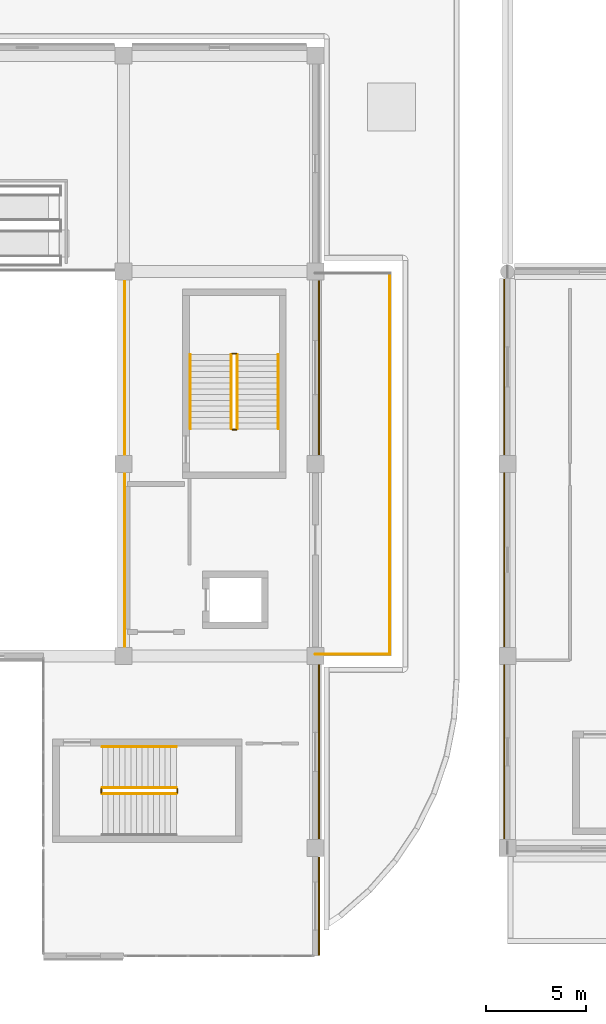
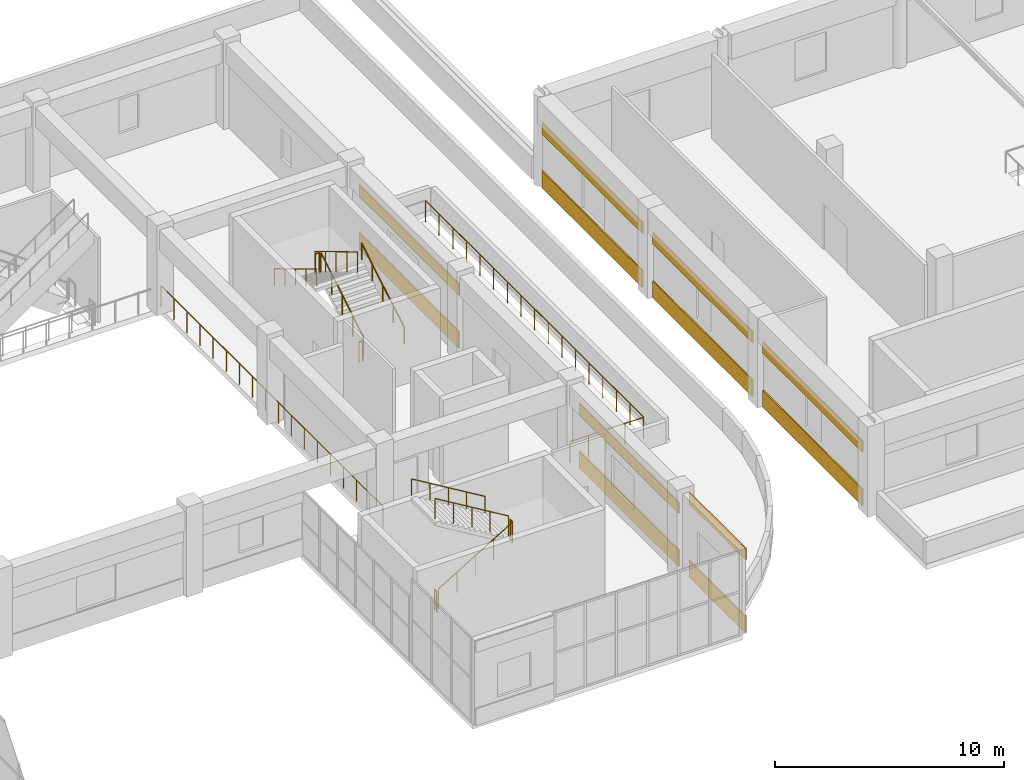
# One storey, part 57 of 67: 14 railings, 12 coverings.
"""IFC4 building model written with IfcOpenShell, lengths in metres."""

from ifc_helpers import new_model, si_unit, direction, frame, origin, origin_2d, place, context, subcontext, project, spatial, rectangle, circle, extrude, material, layer, layer_set, type_object, element, save


model = new_model("IFC4")

# Units and contexts
model_context = context("Model", 3, precision=1e-05, world=origin(), true_north=direction((0.0, 1.0)))
body_context = subcontext(model_context, "Body", "Model", "MODEL_VIEW")
ifc_project = project(units=[si_unit("LENGTHUNIT", "METRE"), si_unit("AREAUNIT", "SQUARE_METRE"), si_unit("VOLUMEUNIT", "CUBIC_METRE"), si_unit("PLANEANGLEUNIT", "RADIAN"), si_unit("MASSUNIT", "GRAM", prefix="KILO")], contexts=[model_context])

# Site, building, storey
site_placement = place(None, origin())
site = spatial("IfcSite", under=ifc_project, at=site_placement, CompositionType="ELEMENT")
building_placement = place(site_placement, origin())
building = spatial("IfcBuilding", under=site, at=building_placement, Name="Cendralis Terraced Arcade", CompositionType="ELEMENT")
storey_placement = place(building_placement, frame((0.0, 0.0, 15.0)))
storey = spatial("IfcBuildingStorey", under=building, at=storey_placement, Name="L03", CompositionType="ELEMENT", Elevation=15.0)

# Coverings
ifc_material_1 = material(Name="Precast concrete f'c 40 MPa", Category="concrete")
ifc_layer = layer(ifc_material_1, 0.06494140625, Name="COV-CLAD-GRC-65")
ifc_layer_set = layer_set([ifc_layer], Name="Precast concrete f'c 40 MPa")
covering_type = type_object("IfcCoveringType", Name="COV-CLAD-GRC-65", PredefinedType="CLADDING", material=ifc_layer_set)
covering_1_placement = place(storey_placement, frame((67.03759765625, 14.39990234375, 0.0), z_axis=(0.0, 0.0, 1.0), x_axis=(0.0, 1.0, 0.0)))
element("IfcCovering", 1, at=covering_1_placement, inside=storey, type_object=covering_type, Name="Banded Precast Stone Spandrel Cladding L03-361", PredefinedType="CLADDING", context=body_context, shape_type="SweptSolid", body=[
    extrude(rectangle(XDim=8.694091796875, YDim=0.06494140625, at=origin_2d()), origin(), (0.0, 0.0, 1.0), 0.89990234375),
])
covering_2_placement = place(storey_placement, frame((67.03759765625, 14.39990234375, 2.869873046875), z_axis=(0.0, 0.0, 1.0), x_axis=(0.0, 1.0, 0.0)))
element("IfcCovering", 2, at=covering_2_placement, inside=storey, type_object=covering_type, Name="Banded Precast Stone Lintel Cladding L03-362", PredefinedType="CLADDING", context=body_context, shape_type="SweptSolid", body=[
    extrude(rectangle(XDim=8.694091796875, YDim=0.06494140625, at=origin_2d()), origin(), (0.0, 0.0, 1.0), 0.60009765625),
])
covering_3_placement = place(storey_placement, frame((67.03759765625, 24.0, 0.0), z_axis=(0.0, 0.0, 1.0), x_axis=(0.0, 1.0, 0.0)))
element("IfcCovering", 3, at=covering_3_placement, inside=storey, type_object=covering_type, Name="Banded Precast Stone Spandrel Cladding L03-363", PredefinedType="CLADDING", context=body_context, shape_type="SweptSolid", body=[
    extrude(rectangle(XDim=8.694091796875, YDim=0.06494140625, at=origin_2d()), origin(), (0.0, 0.0, 1.0), 0.89990234375),
])
covering_4_placement = place(storey_placement, frame((67.03759765625, 24.0, 2.869873046875), z_axis=(0.0, 0.0, 1.0), x_axis=(0.0, 1.0, 0.0)))
element("IfcCovering", 4, at=covering_4_placement, inside=storey, type_object=covering_type, Name="Banded Precast Stone Lintel Cladding L03-364", PredefinedType="CLADDING", context=body_context, shape_type="SweptSolid", body=[
    extrude(rectangle(XDim=8.694091796875, YDim=0.06494140625, at=origin_2d()), origin(), (0.0, 0.0, 1.0), 0.60009765625),
])
covering_5_placement = place(storey_placement, frame((67.03759765625, 33.637451171875, 0.0), z_axis=(0.0, 0.0, 1.0), x_axis=(0.0, 1.0, 0.0)))
element("IfcCovering", 5, at=covering_5_placement, inside=storey, type_object=covering_type, Name="Banded Precast Stone Spandrel Cladding L03-365", PredefinedType="CLADDING", context=body_context, shape_type="SweptSolid", body=[
    extrude(rectangle(XDim=8.76904296875, YDim=0.06494140625, at=origin_2d()), origin(), (0.0, 0.0, 1.0), 0.89990234375),
])
covering_6_placement = place(storey_placement, frame((67.03759765625, 33.637451171875, 2.869873046875), z_axis=(0.0, 0.0, 1.0), x_axis=(0.0, 1.0, 0.0)))
element("IfcCovering", 6, at=covering_6_placement, inside=storey, type_object=covering_type, Name="Banded Precast Stone Lintel Cladding L03-366", PredefinedType="CLADDING", context=body_context, shape_type="SweptSolid", body=[
    extrude(rectangle(XDim=8.76904296875, YDim=0.06494140625, at=origin_2d()), origin(), (0.0, 0.0, 1.0), 0.60009765625),
])
covering_7_placement = place(storey_placement, frame((57.780029296875, 33.60009765625, 0.0), z_axis=(0.0, 0.0, 1.0), x_axis=(0.0, -1.0, 0.0)))
element("IfcCovering", 7, at=covering_7_placement, inside=storey, type_object=covering_type, Name="Banded Precast Stone Spandrel Cladding L03-393", PredefinedType="CLADDING", context=body_context, shape_type="SweptSolid", body=[
    extrude(rectangle(XDim=8.694091796875, YDim=0.06494140625, at=origin_2d()), origin(), (0.0, 0.0, 1.0), 0.89990234375),
])
covering_8_placement = place(storey_placement, frame((57.780029296875, 33.60009765625, 2.83984375), z_axis=(0.0, 0.0, 1.0), x_axis=(0.0, -1.0, 0.0)))
element("IfcCovering", 8, at=covering_8_placement, inside=storey, type_object=covering_type, Name="Banded Precast Stone Lintel Cladding L03-394", PredefinedType="CLADDING", context=body_context, shape_type="SweptSolid", body=[
    extrude(rectangle(XDim=8.694091796875, YDim=0.06494140625, at=origin_2d()), origin(), (0.0, 0.0, 1.0), 0.60009765625),
])
covering_9_placement = place(storey_placement, frame((57.780029296875, 14.39990234375, 0.0), z_axis=(0.0, 0.0, 1.0), x_axis=(0.0, -1.0, 0.0)))
element("IfcCovering", 9, at=covering_9_placement, inside=storey, type_object=covering_type, Name="Banded Precast Stone Spandrel Cladding L03-395", PredefinedType="CLADDING", context=body_context, shape_type="SweptSolid", body=[
    extrude(rectangle(XDim=8.694091796875, YDim=0.06494140625, at=origin_2d()), origin(), (0.0, 0.0, 1.0), 0.89990234375),
])
covering_10_placement = place(storey_placement, frame((57.780029296875, 14.39990234375, 2.83984375), z_axis=(0.0, 0.0, 1.0), x_axis=(0.0, -1.0, 0.0)))
element("IfcCovering", 10, at=covering_10_placement, inside=storey, type_object=covering_type, Name="Banded Precast Stone Lintel Cladding L03-396", PredefinedType="CLADDING", context=body_context, shape_type="SweptSolid", body=[
    extrude(rectangle(XDim=8.694091796875, YDim=0.06494140625, at=origin_2d()), origin(), (0.0, 0.0, 1.0), 0.60009765625),
])
covering_11_placement = place(storey_placement, frame((57.780029296875, 6.6884765625, 0.0), z_axis=(0.0, 0.0, 1.0), x_axis=(0.0, -1.0, 0.0)))
element("IfcCovering", 11, at=covering_11_placement, inside=storey, type_object=covering_type, Name="Banded Precast Stone Spandrel Cladding L03-397", PredefinedType="CLADDING", context=body_context, shape_type="SweptSolid", body=[
    extrude(rectangle(XDim=4.9169921875, YDim=0.06494140625, at=origin_2d()), origin(), (0.0, 0.0, 1.0), 0.89990234375),
])
covering_12_placement = place(storey_placement, frame((57.780029296875, 6.6884765625, 3.89990234375), z_axis=(0.0, 0.0, 1.0), x_axis=(0.0, -1.0, 0.0)))
element("IfcCovering", 12, at=covering_12_placement, inside=storey, type_object=covering_type, Name="Banded Precast Stone Lintel Cladding L03-398", PredefinedType="CLADDING", context=body_context, shape_type="SweptSolid", body=[
    extrude(rectangle(XDim=4.9169921875, YDim=0.06494140625, at=origin_2d()), origin(), (0.0, 0.0, 1.0), 0.60009765625),
])

# Railings
ifc_material_2 = material(Name="Brushed stainless steel AISI 316", Category="steel")
railing_type_1 = type_object("IfcRailingType", Name="RL-STAIR-GUARD-1100", PredefinedType="GUARDRAIL", material=ifc_material_2)
railing_1_placement = place(storey_placement, frame((46.949951171875, 12.300048828125, 0.17138671875)))
element("IfcRailing", 13, at=railing_1_placement, inside=storey, type_object=railing_type_1, Name="L03 ST-03 stair guard 1", PredefinedType="GUARDRAIL", context=body_context, shape_type="SweptSolid", body=[
    extrude(circle(Radius=0.02392578125, at=origin_2d()), frame((0.0, 0.0, 1.076171875), z_axis=(0.856934400257, 0.0, 0.515425487977), x_axis=(0.0, 1.0, 0.0)), (0.0, 0.0, 1.0), 4.32373046875),
    extrude(circle(Radius=0.02099609375, at=origin_2d()), origin(), (0.0, 0.0, 1.0), 1.052001953125),
    extrude(circle(Radius=0.02099609375, at=origin_2d()), frame((0.92626953125, 0.0, 0.55712890625)), (0.0, 0.0, 1.0), 1.052001953125),
    extrude(circle(Radius=0.02099609375, at=origin_2d()), frame((1.8525390625, 0.0, 1.1142578125)), (0.0, 0.0, 1.0), 1.052001953125),
    extrude(circle(Radius=0.02099609375, at=origin_2d()), frame((2.77880859375, 0.0, 1.67138671875)), (0.0, 0.0, 1.0), 1.052001953125),
    extrude(circle(Radius=0.02099609375, at=origin_2d()), frame((3.705078125, 0.0, 2.228515625)), (0.0, 0.0, 1.0), 1.052001953125),
])
railing_2_placement = place(storey_placement, frame((50.705078125, 12.35009765625, 2.39990234375)))
element("IfcRailing", 14, at=railing_2_placement, inside=storey, type_object=railing_type_1, Name="L03 ST-03 stair guard 2", PredefinedType="GUARDRAIL", context=body_context, shape_type="SweptSolid", body=[
    extrude(circle(Radius=0.02392578125, at=origin_2d()), frame((0.0, 0.0, 1.076171875), z_axis=(0.0, 1.0, 0.0), x_axis=(-1.0, 0.0, 0.0)), (0.0, 0.0, 1.0), 0.199951171875),
    extrude(circle(Radius=0.02099609375, at=origin_2d()), origin(), (0.0, 0.0, 1.0), 1.052001953125),
    extrude(circle(Radius=0.02099609375, at=origin_2d()), frame((0.0, 0.199951171875, 0.0)), (0.0, 0.0, 1.0), 1.052001953125),
])
railing_3_placement = place(storey_placement, frame((50.655029296875, 12.60009765625, 2.571533203125)))
element("IfcRailing", 15, at=railing_3_placement, inside=storey, type_object=railing_type_1, Name="L03 ST-03 stair guard 3", PredefinedType="GUARDRAIL", context=body_context, shape_type="SweptSolid", body=[
    extrude(circle(Radius=0.02392578125, at=origin_2d()), frame((0.0, 0.0, 1.076171875), z_axis=(-0.856934400257, 0.0, 0.515425487977), x_axis=(0.0, -1.0, 0.0)), (0.0, 0.0, 1.0), 4.32373046875),
    extrude(circle(Radius=0.02099609375, at=origin_2d()), origin(), (0.0, 0.0, 1.0), 1.052001953125),
    extrude(circle(Radius=0.02099609375, at=origin_2d()), frame((-0.92626953125, 0.0, 0.55712890625)), (0.0, 0.0, 1.0), 1.052001953125),
    extrude(circle(Radius=0.02099609375, at=origin_2d()), frame((-1.8525390625, 0.0, 1.1142578125)), (0.0, 0.0, 1.0), 1.052001953125),
    extrude(circle(Radius=0.02099609375, at=origin_2d()), frame((-2.77880859375, 0.0, 1.67138671875)), (0.0, 0.0, 1.0), 1.052001953125),
    extrude(circle(Radius=0.02099609375, at=origin_2d()), frame((-3.705078125, 0.0, 2.228515625)), (0.0, 0.0, 1.0), 1.052001953125),
])
railing_4_placement = place(storey_placement, frame((46.89990234375, 12.35009765625, 0.0)))
element("IfcRailing", 16, at=railing_4_placement, inside=storey, type_object=railing_type_1, Name="L03 ST-03 stair guard 4", PredefinedType="GUARDRAIL", context=body_context, shape_type="SweptSolid", body=[
    extrude(circle(Radius=0.02392578125, at=origin_2d()), frame((0.0, 0.0, 1.076171875), z_axis=(0.0, 1.0, 0.0), x_axis=(-1.0, 0.0, 0.0)), (0.0, 0.0, 1.0), 0.199951171875),
    extrude(circle(Radius=0.02099609375, at=origin_2d()), origin(), (0.0, 0.0, 1.0), 1.052001953125),
    extrude(circle(Radius=0.02099609375, at=origin_2d()), frame((0.0, 0.199951171875, 0.0)), (0.0, 0.0, 1.0), 1.052001953125),
])
railing_5_placement = place(storey_placement, frame((53.699951171875, 30.550048828125, 0.17138671875)))
element("IfcRailing", 17, at=railing_5_placement, inside=storey, type_object=railing_type_1, Name="L03 ST-04 stair guard 1", PredefinedType="GUARDRAIL", context=body_context, shape_type="SweptSolid", body=[
    extrude(circle(Radius=0.02392578125, at=origin_2d()), frame((0.0, 0.0, 1.076171875), z_axis=(0.0, 0.856919398105, 0.515450429384), x_axis=(-1.0, 0.0, 0.0)), (0.0, 0.0, 1.0), 4.323486328125),
    extrude(circle(Radius=0.02099609375, at=origin_2d()), origin(), (0.0, 0.0, 1.0), 1.052001953125),
    extrude(circle(Radius=0.02099609375, at=origin_2d()), frame((0.0, 0.92626953125, 0.55712890625)), (0.0, 0.0, 1.0), 1.052001953125),
    extrude(circle(Radius=0.02099609375, at=origin_2d()), frame((0.0, 1.8525390625, 1.1142578125)), (0.0, 0.0, 1.0), 1.052001953125),
    extrude(circle(Radius=0.02099609375, at=origin_2d()), frame((0.0, 2.778564453125, 1.67138671875)), (0.0, 0.0, 1.0), 1.052001953125),
    extrude(circle(Radius=0.02099609375, at=origin_2d()), frame((0.0, 3.704833984375, 2.228515625)), (0.0, 0.0, 1.0), 1.052001953125),
])
railing_6_placement = place(storey_placement, frame((53.64990234375, 34.304931640625, 2.39990234375)))
element("IfcRailing", 18, at=railing_6_placement, inside=storey, type_object=railing_type_1, Name="L03 ST-04 stair guard 2", PredefinedType="GUARDRAIL", context=body_context, shape_type="SweptSolid", body=[
    extrude(circle(Radius=0.02392578125, at=origin_2d()), frame((0.0, 0.0, 1.076171875), z_axis=(-1.0, 0.0, 0.0), x_axis=(0.0, -1.0, 0.0)), (0.0, 0.0, 1.0), 0.199951171875),
    extrude(circle(Radius=0.02099609375, at=origin_2d()), origin(), (0.0, 0.0, 1.0), 1.052001953125),
    extrude(circle(Radius=0.02099609375, at=origin_2d()), frame((-0.199951171875, 0.0, 0.0)), (0.0, 0.0, 1.0), 1.052001953125),
])
railing_7_placement = place(storey_placement, frame((53.39990234375, 34.2548828125, 2.571533203125)))
element("IfcRailing", 19, at=railing_7_placement, inside=storey, type_object=railing_type_1, Name="L03 ST-04 stair guard 3", PredefinedType="GUARDRAIL", context=body_context, shape_type="SweptSolid", body=[
    extrude(circle(Radius=0.02392578125, at=origin_2d()), frame((0.0, 0.0, 1.076171875), z_axis=(0.0, -0.856919398105, 0.515450429384), x_axis=(1.0, 0.0, 0.0)), (0.0, 0.0, 1.0), 4.323486328125),
    extrude(circle(Radius=0.02099609375, at=origin_2d()), origin(), (0.0, 0.0, 1.0), 1.052001953125),
    extrude(circle(Radius=0.02099609375, at=origin_2d()), frame((0.0, -0.92626953125, 0.55712890625)), (0.0, 0.0, 1.0), 1.052001953125),
    extrude(circle(Radius=0.02099609375, at=origin_2d()), frame((0.0, -1.8525390625, 1.1142578125)), (0.0, 0.0, 1.0), 1.052001953125),
    extrude(circle(Radius=0.02099609375, at=origin_2d()), frame((0.0, -2.778564453125, 1.67138671875)), (0.0, 0.0, 1.0), 1.052001953125),
    extrude(circle(Radius=0.02099609375, at=origin_2d()), frame((0.0, -3.704833984375, 2.228515625)), (0.0, 0.0, 1.0), 1.052001953125),
])
railing_8_placement = place(storey_placement, frame((53.64990234375, 30.5, 0.0)))
element("IfcRailing", 20, at=railing_8_placement, inside=storey, type_object=railing_type_1, Name="L03 ST-04 stair guard 4", PredefinedType="GUARDRAIL", context=body_context, shape_type="SweptSolid", body=[
    extrude(circle(Radius=0.02392578125, at=origin_2d()), frame((0.0, 0.0, 1.076171875), z_axis=(-1.0, 0.0, 0.0), x_axis=(0.0, -1.0, 0.0)), (0.0, 0.0, 1.0), 0.199951171875),
    extrude(circle(Radius=0.02099609375, at=origin_2d()), origin(), (0.0, 0.0, 1.0), 1.052001953125),
    extrude(circle(Radius=0.02099609375, at=origin_2d()), frame((-0.199951171875, 0.0, 0.0)), (0.0, 0.0, 1.0), 1.052001953125),
])
railing_type_2 = type_object("IfcRailingType", Name="RL-STAIR-HAND-900", PredefinedType="HANDRAIL", material=ifc_material_2)
railing_9_placement = place(storey_placement, frame((50.655029296875, 14.64990234375, 2.571533203125)))
element("IfcRailing", 21, at=railing_9_placement, inside=storey, type_object=railing_type_2, Name="L03 ST-03 stair handrail 2", PredefinedType="HANDRAIL", context=body_context, shape_type="SweptSolid", body=[
    extrude(circle(Radius=0.02392578125, at=origin_2d()), frame((0.0, 0.0, 0.8759765625), z_axis=(-0.856934400257, 0.0, 0.515425487977), x_axis=(0.0, -1.0, 0.0)), (0.0, 0.0, 1.0), 4.32373046875),
    extrude(circle(Radius=0.02099609375, at=origin_2d()), origin(), (0.0, 0.0, 1.0), 0.851806640625),
    extrude(circle(Radius=0.02099609375, at=origin_2d()), frame((-0.92626953125, 0.0, 0.55712890625)), (0.0, 0.0, 1.0), 0.851806640625),
    extrude(circle(Radius=0.02099609375, at=origin_2d()), frame((-1.8525390625, 0.0, 1.1142578125)), (0.0, 0.0, 1.0), 0.851806640625),
    extrude(circle(Radius=0.02099609375, at=origin_2d()), frame((-2.77880859375, 0.0, 1.67138671875)), (0.0, 0.0, 1.0), 0.851806640625),
    extrude(circle(Radius=0.02099609375, at=origin_2d()), frame((-3.705078125, 0.0, 2.228515625)), (0.0, 0.0, 1.0), 0.851806640625),
])
railing_10_placement = place(storey_placement, frame((55.75, 30.550048828125, 0.17138671875)))
element("IfcRailing", 22, at=railing_10_placement, inside=storey, type_object=railing_type_2, Name="L03 ST-04 stair handrail 1", PredefinedType="HANDRAIL", context=body_context, shape_type="SweptSolid", body=[
    extrude(circle(Radius=0.02392578125, at=origin_2d()), frame((0.0, 0.0, 0.8759765625), z_axis=(0.0, 0.856919398105, 0.515450429384), x_axis=(-1.0, 0.0, 0.0)), (0.0, 0.0, 1.0), 4.323486328125),
    extrude(circle(Radius=0.02099609375, at=origin_2d()), origin(), (0.0, 0.0, 1.0), 0.851806640625),
    extrude(circle(Radius=0.02099609375, at=origin_2d()), frame((0.0, 0.92626953125, 0.55712890625)), (0.0, 0.0, 1.0), 0.851806640625),
    extrude(circle(Radius=0.02099609375, at=origin_2d()), frame((0.0, 1.8525390625, 1.1142578125)), (0.0, 0.0, 1.0), 0.851806640625),
    extrude(circle(Radius=0.02099609375, at=origin_2d()), frame((0.0, 2.778564453125, 1.67138671875)), (0.0, 0.0, 1.0), 0.851806640625),
    extrude(circle(Radius=0.02099609375, at=origin_2d()), frame((0.0, 3.704833984375, 2.228515625)), (0.0, 0.0, 1.0), 0.851806640625),
])
railing_11_placement = place(storey_placement, frame((51.35009765625, 34.2548828125, 2.571533203125)))
element("IfcRailing", 23, at=railing_11_placement, inside=storey, type_object=railing_type_2, Name="L03 ST-04 stair handrail 2", PredefinedType="HANDRAIL", context=body_context, shape_type="SweptSolid", body=[
    extrude(circle(Radius=0.02392578125, at=origin_2d()), frame((0.0, 0.0, 0.8759765625), z_axis=(0.0, -0.856919398105, 0.515450429384), x_axis=(1.0, 0.0, 0.0)), (0.0, 0.0, 1.0), 4.323486328125),
    extrude(circle(Radius=0.02099609375, at=origin_2d()), origin(), (0.0, 0.0, 1.0), 0.851806640625),
    extrude(circle(Radius=0.02099609375, at=origin_2d()), frame((0.0, -0.92626953125, 0.55712890625)), (0.0, 0.0, 1.0), 0.851806640625),
    extrude(circle(Radius=0.02099609375, at=origin_2d()), frame((0.0, -1.8525390625, 1.1142578125)), (0.0, 0.0, 1.0), 0.851806640625),
    extrude(circle(Radius=0.02099609375, at=origin_2d()), frame((0.0, -2.778564453125, 1.67138671875)), (0.0, 0.0, 1.0), 0.851806640625),
    extrude(circle(Radius=0.02099609375, at=origin_2d()), frame((0.0, -3.704833984375, 2.228515625)), (0.0, 0.0, 1.0), 0.851806640625),
])
railing_type_3 = type_object("IfcRailingType", Name="RL-TER-GUARD-1150", PredefinedType="GUARDRAIL", material=ifc_material_2)
railing_12_placement = place(storey_placement, frame((57.60009765625, 19.280029296875, 0.0)))
element("IfcRailing", 24, at=railing_12_placement, inside=storey, type_object=railing_type_3, Name="Planted Terrace Perimeter Guardrail GR-TER-L03-009", PredefinedType="GUARDRAIL", context=body_context, shape_type="SweptSolid", body=[
    extrude(circle(Radius=0.02392578125, at=origin_2d()), frame((0.0, 0.0, 1.1259765625), z_axis=(1.0, 0.0, 0.0), x_axis=(0.0, 1.0, 0.0)), (0.0, 0.0, 1.0), 3.719970703125),
    extrude(circle(Radius=0.02099609375, at=origin_2d()), origin(), (0.0, 0.0, 1.0), 1.101806640625),
    extrude(circle(Radius=0.02099609375, at=origin_2d()), frame((0.929931640625, 0.0, 0.0)), (0.0, 0.0, 1.0), 1.101806640625),
    extrude(circle(Radius=0.02099609375, at=origin_2d()), frame((1.85986328125, 0.0, 0.0)), (0.0, 0.0, 1.0), 1.101806640625),
    extrude(circle(Radius=0.02099609375, at=origin_2d()), frame((2.7900390625, 0.0, 0.0)), (0.0, 0.0, 1.0), 1.101806640625),
    extrude(circle(Radius=0.02099609375, at=origin_2d()), frame((3.719970703125, 0.0, 0.0)), (0.0, 0.0, 1.0), 1.101806640625),
])
railing_13_placement = place(storey_placement, frame((61.320068359375, 19.280029296875, 0.0)))
element("IfcRailing", 25, at=railing_13_placement, inside=storey, type_object=railing_type_3, Name="Planted Terrace Perimeter Guardrail GR-TER-L03-010", PredefinedType="GUARDRAIL", context=body_context, shape_type="SweptSolid", body=[
    extrude(circle(Radius=0.02392578125, at=origin_2d()), frame((0.0, 0.0, 1.1259765625), z_axis=(0.0, 1.0, 0.0), x_axis=(-1.0, 0.0, 0.0)), (0.0, 0.0, 1.0), 19.0400390625),
    extrude(circle(Radius=0.02099609375, at=origin_2d()), origin(), (0.0, 0.0, 1.0), 1.101806640625),
    extrude(circle(Radius=0.02099609375, at=origin_2d()), frame((0.0, 1.18994140625, 0.0)), (0.0, 0.0, 1.0), 1.101806640625),
    extrude(circle(Radius=0.02099609375, at=origin_2d()), frame((0.0, 2.3798828125, 0.0)), (0.0, 0.0, 1.0), 1.101806640625),
    extrude(circle(Radius=0.02099609375, at=origin_2d()), frame((0.0, 3.570068359375, 0.0)), (0.0, 0.0, 1.0), 1.101806640625),
    extrude(circle(Radius=0.02099609375, at=origin_2d()), frame((0.0, 4.760009765625, 0.0)), (0.0, 0.0, 1.0), 1.101806640625),
    extrude(circle(Radius=0.02099609375, at=origin_2d()), frame((0.0, 5.949951171875, 0.0)), (0.0, 0.0, 1.0), 1.101806640625),
    extrude(circle(Radius=0.02099609375, at=origin_2d()), frame((0.0, 7.14013671875, 0.0)), (0.0, 0.0, 1.0), 1.101806640625),
    extrude(circle(Radius=0.02099609375, at=origin_2d()), frame((0.0, 8.330078125, 0.0)), (0.0, 0.0, 1.0), 1.101806640625),
    extrude(circle(Radius=0.02099609375, at=origin_2d()), frame((0.0, 9.52001953125, 0.0)), (0.0, 0.0, 1.0), 1.101806640625),
    extrude(circle(Radius=0.02099609375, at=origin_2d()), frame((0.0, 10.7099609375, 0.0)), (0.0, 0.0, 1.0), 1.101806640625),
    extrude(circle(Radius=0.02099609375, at=origin_2d()), frame((0.0, 11.89990234375, 0.0)), (0.0, 0.0, 1.0), 1.101806640625),
    extrude(circle(Radius=0.02099609375, at=origin_2d()), frame((0.0, 13.090087890625, 0.0)), (0.0, 0.0, 1.0), 1.101806640625),
    extrude(circle(Radius=0.02099609375, at=origin_2d()), frame((0.0, 14.280029296875, 0.0)), (0.0, 0.0, 1.0), 1.101806640625),
    extrude(circle(Radius=0.02099609375, at=origin_2d()), frame((0.0, 15.469970703125, 0.0)), (0.0, 0.0, 1.0), 1.101806640625),
    extrude(circle(Radius=0.02099609375, at=origin_2d()), frame((0.0, 16.66015625, 0.0)), (0.0, 0.0, 1.0), 1.101806640625),
    extrude(circle(Radius=0.02099609375, at=origin_2d()), frame((0.0, 17.85009765625, 0.0)), (0.0, 0.0, 1.0), 1.101806640625),
    extrude(circle(Radius=0.02099609375, at=origin_2d()), frame((0.0, 19.0400390625, 0.0)), (0.0, 0.0, 1.0), 1.101806640625),
])
railing_type_4 = type_object("IfcRailingType", Name="RL-VOID-BAL-1150", PredefinedType="BALUSTRADE", material=ifc_material_2)
railing_14_placement = place(storey_placement, frame((48.080078125, 19.1201171875, 0.0)))
element("IfcRailing", 26, at=railing_14_placement, inside=storey, type_object=railing_type_4, Name="Atrium and Arcade Gallery Balustrade L03-059", PredefinedType="BALUSTRADE", context=body_context, shape_type="SweptSolid", body=[
    extrude(circle(Radius=0.02392578125, at=origin_2d()), frame((0.0, 0.0, 1.1259765625), z_axis=(0.0, 1.0, 0.0), x_axis=(-1.0, 0.0, 0.0)), (0.0, 0.0, 1.0), 19.35986328125),
    extrude(circle(Radius=0.02099609375, at=origin_2d()), origin(), (0.0, 0.0, 1.0), 1.101806640625),
    extrude(circle(Radius=0.02099609375, at=origin_2d()), frame((0.0, 1.138916015625, 0.0)), (0.0, 0.0, 1.0), 1.101806640625),
    extrude(circle(Radius=0.02099609375, at=origin_2d()), frame((0.0, 2.277587890625, 0.0)), (0.0, 0.0, 1.0), 1.101806640625),
    extrude(circle(Radius=0.02099609375, at=origin_2d()), frame((0.0, 3.41650390625, 0.0)), (0.0, 0.0, 1.0), 1.101806640625),
    extrude(circle(Radius=0.02099609375, at=origin_2d()), frame((0.0, 4.55517578125, 0.0)), (0.0, 0.0, 1.0), 1.101806640625),
    extrude(circle(Radius=0.02099609375, at=origin_2d()), frame((0.0, 5.694091796875, 0.0)), (0.0, 0.0, 1.0), 1.101806640625),
    extrude(circle(Radius=0.02099609375, at=origin_2d()), frame((0.0, 6.8330078125, 0.0)), (0.0, 0.0, 1.0), 1.101806640625),
    extrude(circle(Radius=0.02099609375, at=origin_2d()), frame((0.0, 7.9716796875, 0.0)), (0.0, 0.0, 1.0), 1.101806640625),
    extrude(circle(Radius=0.02099609375, at=origin_2d()), frame((0.0, 9.110595703125, 0.0)), (0.0, 0.0, 1.0), 1.101806640625),
    extrude(circle(Radius=0.02099609375, at=origin_2d()), frame((0.0, 10.249267578125, 0.0)), (0.0, 0.0, 1.0), 1.101806640625),
    extrude(circle(Radius=0.02099609375, at=origin_2d()), frame((0.0, 11.38818359375, 0.0)), (0.0, 0.0, 1.0), 1.101806640625),
    extrude(circle(Radius=0.02099609375, at=origin_2d()), frame((0.0, 12.52685546875, 0.0)), (0.0, 0.0, 1.0), 1.101806640625),
    extrude(circle(Radius=0.02099609375, at=origin_2d()), frame((0.0, 13.665771484375, 0.0)), (0.0, 0.0, 1.0), 1.101806640625),
    extrude(circle(Radius=0.02099609375, at=origin_2d()), frame((0.0, 14.8046875, 0.0)), (0.0, 0.0, 1.0), 1.101806640625),
    extrude(circle(Radius=0.02099609375, at=origin_2d()), frame((0.0, 15.943359375, 0.0)), (0.0, 0.0, 1.0), 1.101806640625),
    extrude(circle(Radius=0.02099609375, at=origin_2d()), frame((0.0, 17.082275390625, 0.0)), (0.0, 0.0, 1.0), 1.101806640625),
    extrude(circle(Radius=0.02099609375, at=origin_2d()), frame((0.0, 18.220947265625, 0.0)), (0.0, 0.0, 1.0), 1.101806640625),
    extrude(circle(Radius=0.02099609375, at=origin_2d()), frame((0.0, 19.35986328125, 0.0)), (0.0, 0.0, 1.0), 1.101806640625),
])

save(model, "model.ifc")
